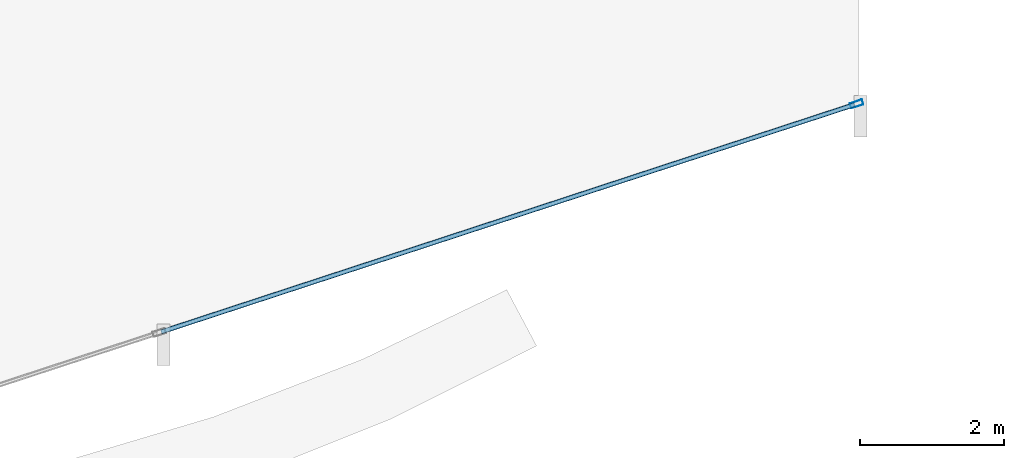
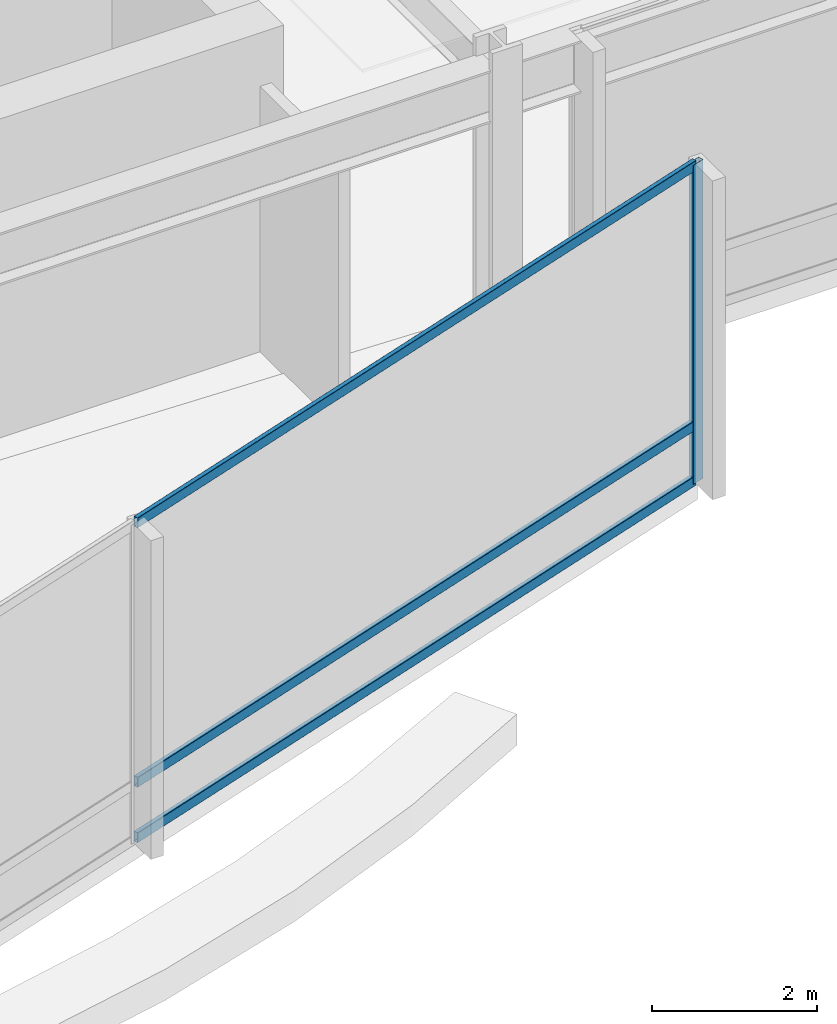
# One storey, part 11 of 39: 4 members, 1 element without a shape of its own.
"""IFC4 building model written with IfcOpenShell, lengths in metres."""

from ifc_helpers import new_model, si_unit, direction, frame, origin, origin_2d, place, context, subcontext, project, spatial, hollow_rectangle, extrude, material, layer, layer_set, material_profile, profile_set, type_object, element, aggregate, save


model = new_model("IFC4")

# Units and contexts
model_context = context("Model", 3, precision=1e-05, world=origin(), true_north=direction((0.0, 1.0)))
body_context = subcontext(model_context, "Body", "Model", "MODEL_VIEW")
ifc_project = project(units=[si_unit("LENGTHUNIT", "METRE"), si_unit("AREAUNIT", "SQUARE_METRE"), si_unit("VOLUMEUNIT", "CUBIC_METRE"), si_unit("PLANEANGLEUNIT", "RADIAN"), si_unit("MASSUNIT", "GRAM", prefix="KILO")], contexts=[model_context])

# Site, building, storey
site_placement = place(None, origin())
site = spatial("IfcSite", under=ifc_project, at=site_placement, CompositionType="ELEMENT")
building_placement = place(site_placement, origin())
building = spatial("IfcBuilding", under=site, at=building_placement, Name="Solvaryn Broadcast Tower", CompositionType="ELEMENT")
storey_placement = place(building_placement, frame((0.0, 0.0, 84.10009765625)))
storey = spatial("IfcBuildingStorey", under=building, at=storey_placement, Name="L20", CompositionType="ELEMENT", Elevation=84.10009765625)

# Curtain wall, members
ifc_material_1 = material(Name="Aluminium and Terracotta Unitised Curtain Wall", Category="masonry")
ifc_layer = layer(ifc_material_1, 0.25)
ifc_layer_set = layer_set([ifc_layer], Name="CW-SYS4-SKYGARDEN")
curtain_wall_type = type_object("IfcCurtainWallType", Name="CW-SYS4-SKYGARDEN", PredefinedType="NOTDEFINED", material=ifc_layer_set)
curtain_wall_placement = place(storey_placement, origin())
curtain_wall = element("IfcCurtainWall", 1, at=curtain_wall_placement, inside=storey, type_object=curtain_wall_type, Name="L20 Curtain Wall DR4", PredefinedType="NOTDEFINED")
ifc_material_2 = material(Name="Anodised Aluminium 6063-T6", Category="aluminium")
ifc_material_profile_1 = material_profile(ifc_material_2, hollow_rectangle(XDim=0.074951171875, YDim=0.179931640625, WallThickness=0.00390625, InnerFilletRadius=0.00390625, OuterFilletRadius=0.008056640625, at=origin_2d()))
ifc_profile_set_1 = profile_set([ifc_material_profile_1], Name="Anodised Aluminium 6063-T6")
member_type_1 = type_object("IfcMemberType", Name="CW-MUL-180", PredefinedType="MULLION", material=ifc_profile_set_1)
member_1_placement = place(storey_placement, frame((45.987548828125, 5.90673828125, 0.0), z_axis=(0.0, 0.0, 1.0), x_axis=(-0.311594044587, 0.950215318429, 0.0)))
member_1 = element("IfcMember", 2, at=member_1_placement, type_object=member_type_1, Name="CWS4 mullion 3", PredefinedType="MULLION", context=body_context, shape_type="SweptSolid", body=[
    extrude(hollow_rectangle(XDim=0.074951171875, YDim=0.179931640625, WallThickness=0.00390625, InnerFilletRadius=0.00390625, OuterFilletRadius=0.008056640625, at=origin_2d()), origin(), (0.0, 0.0, 1.0), 4.719970703125),
])
ifc_material_3 = material(Name="Anodised Aluminium 6063-T6", Category="aluminium")
ifc_material_profile_2 = material_profile(ifc_material_3, hollow_rectangle(XDim=0.06494140625, YDim=0.14990234375, WallThickness=0.00390625, InnerFilletRadius=0.00390625, OuterFilletRadius=0.008056640625, at=origin_2d()))
ifc_profile_set_2 = profile_set([ifc_material_profile_2], Name="Anodised Aluminium 6063-T6")
member_type_2 = type_object("IfcMemberType", Name="CW-TRN-150", PredefinedType="USERDEFINED", material=ifc_profile_set_2)
member_2_placement = place(storey_placement, frame((36.31640625, 2.7353515625, 0.02978515625), z_axis=(0.950218915167, 0.311583076016, 0.0), x_axis=(-0.311583076016, 0.950218915167, 0.0)))
member_2 = element("IfcMember", 3, at=member_2_placement, type_object=member_type_2, Name="CWS4 transom 2.1", ObjectType="TRANSOM", PredefinedType="USERDEFINED", context=body_context, shape_type="SweptSolid", body=[
    extrude(hollow_rectangle(XDim=0.06494140625, YDim=0.14990234375, WallThickness=0.00390625, InnerFilletRadius=0.00390625, OuterFilletRadius=0.008056640625, at=origin_2d()), origin(), (0.0, 0.0, 1.0), 10.147705078125),
])
member_3_placement = place(storey_placement, frame((36.31640625, 2.7353515625, 0.849853515625), z_axis=(0.950218915167, 0.311583076016, 0.0), x_axis=(-0.311583076016, 0.950218915167, 0.0)))
member_3 = element("IfcMember", 4, at=member_3_placement, type_object=member_type_2, Name="CWS4 transom 2.2", ObjectType="TRANSOM", PredefinedType="USERDEFINED", context=body_context, shape_type="SweptSolid", body=[
    extrude(hollow_rectangle(XDim=0.06494140625, YDim=0.14990234375, WallThickness=0.00390625, InnerFilletRadius=0.00390625, OuterFilletRadius=0.008056640625, at=origin_2d()), origin(), (0.0, 0.0, 1.0), 10.147705078125),
])
member_4_placement = place(storey_placement, frame((36.31640625, 2.7353515625, 4.68994140625), z_axis=(0.950218915167, 0.311583076016, 0.0), x_axis=(-0.311583076016, 0.950218915167, 0.0)))
member_4 = element("IfcMember", 5, at=member_4_placement, type_object=member_type_2, Name="CWS4 transom 2.3", ObjectType="TRANSOM", PredefinedType="USERDEFINED", context=body_context, shape_type="SweptSolid", body=[
    extrude(hollow_rectangle(XDim=0.06494140625, YDim=0.14990234375, WallThickness=0.00390625, InnerFilletRadius=0.00390625, OuterFilletRadius=0.008056640625, at=origin_2d()), origin(), (0.0, 0.0, 1.0), 10.147705078125),
])
aggregate(curtain_wall, [member_1, member_2, member_3, member_4])

save(model, "model.ifc")
